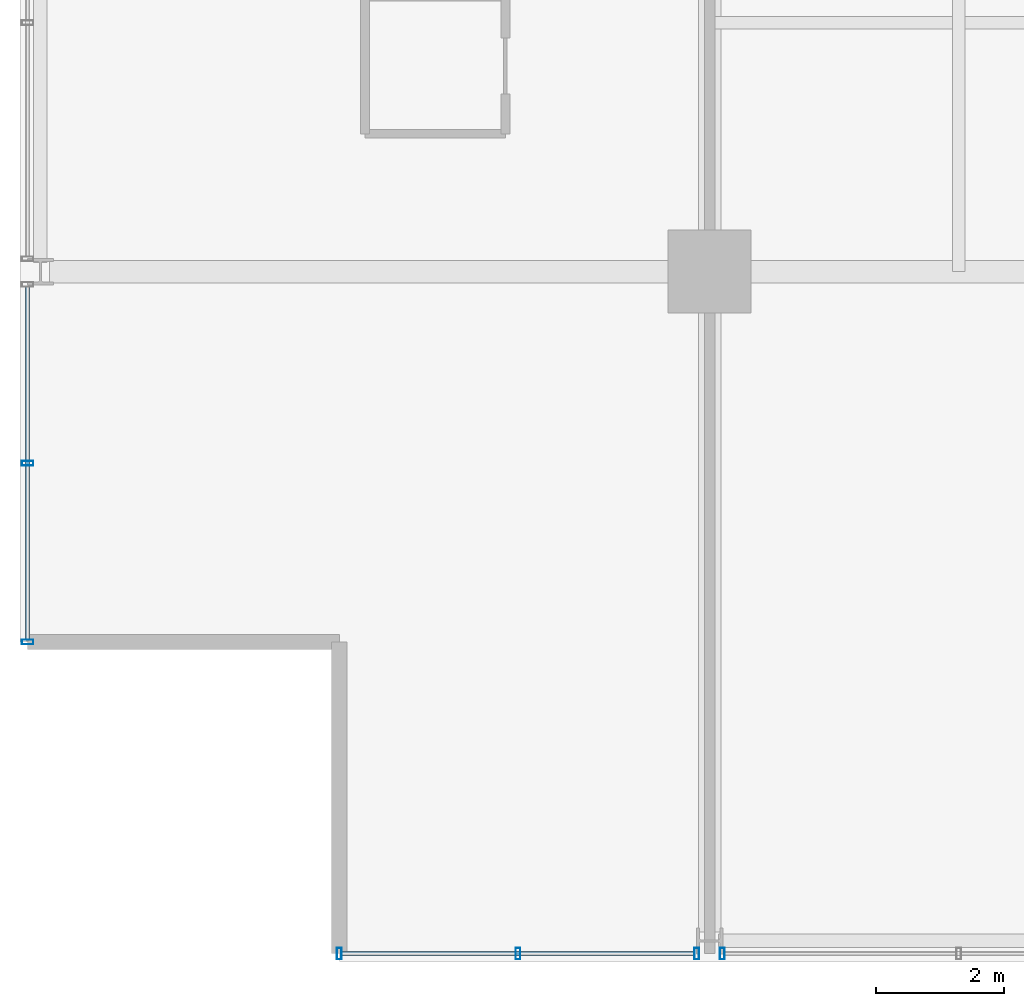
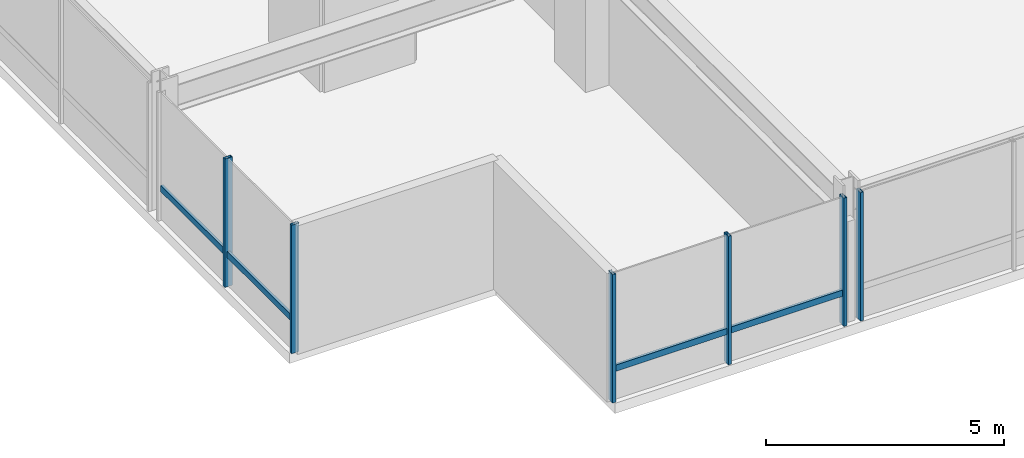
# One storey, part 2 of 33: 8 members, 3 elements without a shape of their own.
"""IFC4 building model written with IfcOpenShell, lengths in metres."""

from ifc_helpers import new_model, si_unit, direction, frame, origin, origin_2d, place, context, subcontext, project, spatial, hollow_rectangle, extrude, material, layer, layer_set, material_profile, profile_set, type_object, element, aggregate, save


model = new_model("IFC4")

# Units and contexts
model_context = context("Model", 3, precision=1e-05, world=origin(), true_north=direction((0.0, 1.0)))
body_context = subcontext(model_context, "Body", "Model", "MODEL_VIEW")
ifc_project = project(units=[si_unit("LENGTHUNIT", "METRE"), si_unit("AREAUNIT", "SQUARE_METRE"), si_unit("VOLUMEUNIT", "CUBIC_METRE"), si_unit("PLANEANGLEUNIT", "RADIAN"), si_unit("MASSUNIT", "GRAM", prefix="KILO")], contexts=[model_context])

# Site, building, storey
site_placement = place(None, origin())
site = spatial("IfcSite", under=ifc_project, at=site_placement, CompositionType="ELEMENT")
building_placement = place(site_placement, origin())
building = spatial("IfcBuilding", under=site, at=building_placement, Name="Drelvath Grand Hotel", CompositionType="ELEMENT")
storey_placement = place(building_placement, frame((0.0, 0.0, 168.14990234375)))
storey = spatial("IfcBuildingStorey", under=building, at=storey_placement, Name="L43", CompositionType="ELEMENT", Elevation=168.14990234375)

# Curtain wall, member
ifc_material = material(Name="Brushed Pale-Silver Anodised Aluminium Frame", Category="aluminium")
ifc_layer = layer(ifc_material, 0.199951171875)
ifc_layer_set = layer_set([ifc_layer], Name="Brushed Pale-Silver Anodised Aluminium Frame")
curtain_wall_type = type_object("IfcCurtainWallType", Name="Stick Curtain Wall CW-04 Brushed Silver Upper-Mid", PredefinedType="NOTDEFINED", material=ifc_layer_set)
curtain_wall_1_placement = place(storey_placement, origin())
curtain_wall_1 = element("IfcCurtainWall", 1, at=curtain_wall_1_placement, inside=storey, type_object=curtain_wall_type, Name="L43 CW-04 Curtain Wall CW04-L43-WS1", PredefinedType="NOTDEFINED")
ifc_material_profile_1 = material_profile(ifc_material, hollow_rectangle(XDim=0.06494140625, YDim=0.159912109375, WallThickness=0.00390625, at=origin_2d()), Name="HSS160X65X4")
ifc_profile_set_1 = profile_set([ifc_material_profile_1], Name="Brushed Pale-Silver Anodised Aluminium Frame")
member_type_1 = type_object("IfcMemberType", Name="Curtain Wall Horizontal Transom CW-04 HSS160X65X4", PredefinedType="USERDEFINED", material=ifc_profile_set_1)
member_1_placement = place(storey_placement, frame((-26.8798828125, 5.0400390625, 0.822509765625), z_axis=(0.0, 1.0, 0.0), x_axis=(-1.0, 0.0, 0.0)))
member_1 = element("IfcMember", 2, at=member_1_placement, type_object=member_type_1, Name="CW04-L43-WS1 Sill Transom", ObjectType="TRANSOM", PredefinedType="USERDEFINED", context=body_context, shape_type="SweptSolid", body=[
    extrude(hollow_rectangle(XDim=0.06494140625, YDim=0.159912109375, WallThickness=0.00390625, at=origin_2d()), origin(), (0.0, 0.0, 1.0), 5.519775390625),
])

curtain_wall_2_placement = place(storey_placement, origin())
curtain_wall_2 = element("IfcCurtainWall", 3, at=curtain_wall_2_placement, inside=storey, type_object=curtain_wall_type, Name="L43 CW-04 Curtain Wall CW04-L43-SW1", PredefinedType="NOTDEFINED")
member_2_placement = place(storey_placement, frame((-16.440185546875, 0.1201171875, 0.822509765625), z_axis=(-1.0, 0.0, 0.0), x_axis=(0.0, -1.0, 0.0)))
member_2 = element("IfcMember", 4, at=member_2_placement, type_object=member_type_1, Name="CW04-L43-SW1 Sill Transom", ObjectType="TRANSOM", PredefinedType="USERDEFINED", context=body_context, shape_type="SweptSolid", body=[
    extrude(hollow_rectangle(XDim=0.06494140625, YDim=0.159912109375, WallThickness=0.00390625, at=origin_2d()), origin(), (0.0, 0.0, 1.0), 5.519775390625),
])

# Member
ifc_material_profile_2 = material_profile(ifc_material, hollow_rectangle(XDim=0.074951171875, YDim=0.179931640625, WallThickness=0.0048828125, at=origin_2d()), Name="HSS180X75X5")
ifc_profile_set_2 = profile_set([ifc_material_profile_2], Name="Brushed Pale-Silver Anodised Aluminium Frame")
member_type_2 = type_object("IfcMemberType", Name="Curtain Wall Vertical Mullion CW-04 HSS180X75X5", PredefinedType="MULLION", material=ifc_profile_set_2)
member_3_placement = place(storey_placement, frame((-26.8798828125, 5.0, 0.0), z_axis=(0.0, 0.0, 1.0), x_axis=(0.0, 1.0, 0.0)))
member_3 = element("IfcMember", 5, at=member_3_placement, type_object=member_type_2, Name="CW04-L43-WS1 Mullion 1", PredefinedType="MULLION", context=body_context, shape_type="SweptSolid", body=[
    extrude(hollow_rectangle(XDim=0.074951171875, YDim=0.179931640625, WallThickness=0.0048828125, at=origin_2d()), origin(), (0.0, 0.0, 1.0), 3.2900390625),
])

member_4_placement = place(storey_placement, frame((-26.8798828125, 7.7998046875, 0.0), z_axis=(0.0, 0.0, 1.0), x_axis=(0.0, 1.0, 0.0)))
member_4 = element("IfcMember", 6, at=member_4_placement, type_object=member_type_2, Name="CW04-L43-WS1 Mullion 2", PredefinedType="MULLION", context=body_context, shape_type="SweptSolid", body=[
    extrude(hollow_rectangle(XDim=0.074951171875, YDim=0.179931640625, WallThickness=0.0048828125, at=origin_2d()), origin(), (0.0, 0.0, 1.0), 3.2900390625),
])

aggregate(curtain_wall_1, [member_3, member_4, member_1])

member_5_placement = place(storey_placement, frame((-16.400146484375, 0.1201171875, 0.0), z_axis=(0.0, 0.0, 1.0), x_axis=(1.0, 0.0, 0.0)))
member_5 = element("IfcMember", 7, at=member_5_placement, type_object=member_type_2, Name="CW04-L43-SW1 Mullion 1", PredefinedType="MULLION", context=body_context, shape_type="SweptSolid", body=[
    extrude(hollow_rectangle(XDim=0.074951171875, YDim=0.179931640625, WallThickness=0.0048828125, at=origin_2d()), origin(), (0.0, 0.0, 1.0), 3.2900390625),
])

member_6_placement = place(storey_placement, frame((-19.199951171875, 0.1201171875, 0.0), z_axis=(0.0, 0.0, 1.0), x_axis=(1.0, 0.0, 0.0)))
member_6 = element("IfcMember", 8, at=member_6_placement, type_object=member_type_2, Name="CW04-L43-SW1 Mullion 2", PredefinedType="MULLION", context=body_context, shape_type="SweptSolid", body=[
    extrude(hollow_rectangle(XDim=0.074951171875, YDim=0.179931640625, WallThickness=0.0048828125, at=origin_2d()), origin(), (0.0, 0.0, 1.0), 3.2900390625),
])

member_7_placement = place(storey_placement, frame((-22.0, 0.1201171875, 0.0), z_axis=(0.0, 0.0, 1.0), x_axis=(1.0, 0.0, 0.0)))
member_7 = element("IfcMember", 9, at=member_7_placement, type_object=member_type_2, Name="CW04-L43-SW1 Mullion 3", PredefinedType="MULLION", context=body_context, shape_type="SweptSolid", body=[
    extrude(hollow_rectangle(XDim=0.074951171875, YDim=0.179931640625, WallThickness=0.0048828125, at=origin_2d()), origin(), (0.0, 0.0, 1.0), 3.2900390625),
])

aggregate(curtain_wall_2, [member_5, member_6, member_7, member_2])

# Curtain wall, member
curtain_wall_3_placement = place(storey_placement, origin())
curtain_wall_3 = element("IfcCurtainWall", 10, at=curtain_wall_3_placement, inside=storey, type_object=curtain_wall_type, Name="L43 CW-04 Curtain Wall CW04-L43-SW2", PredefinedType="NOTDEFINED")
member_8_placement = place(storey_placement, frame((-16.0, 0.1201171875, 0.0), z_axis=(0.0, 0.0, 1.0), x_axis=(1.0, 0.0, 0.0)))
member_8 = element("IfcMember", 11, at=member_8_placement, type_object=member_type_2, Name="CW04-L43-SW2 Mullion 3", PredefinedType="MULLION", context=body_context, shape_type="SweptSolid", body=[
    extrude(hollow_rectangle(XDim=0.074951171875, YDim=0.179931640625, WallThickness=0.0048828125, at=origin_2d()), origin(), (0.0, 0.0, 1.0), 3.2900390625),
])
aggregate(curtain_wall_3, [member_8])

save(model, "model.ifc")
